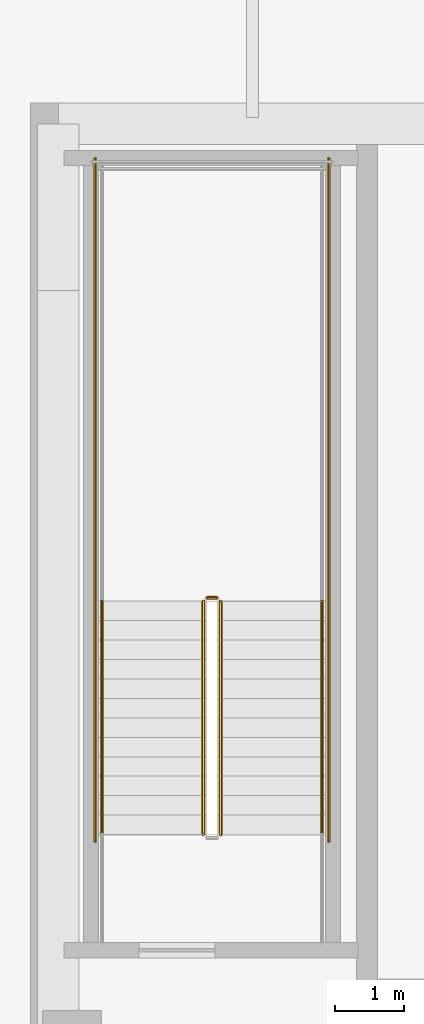
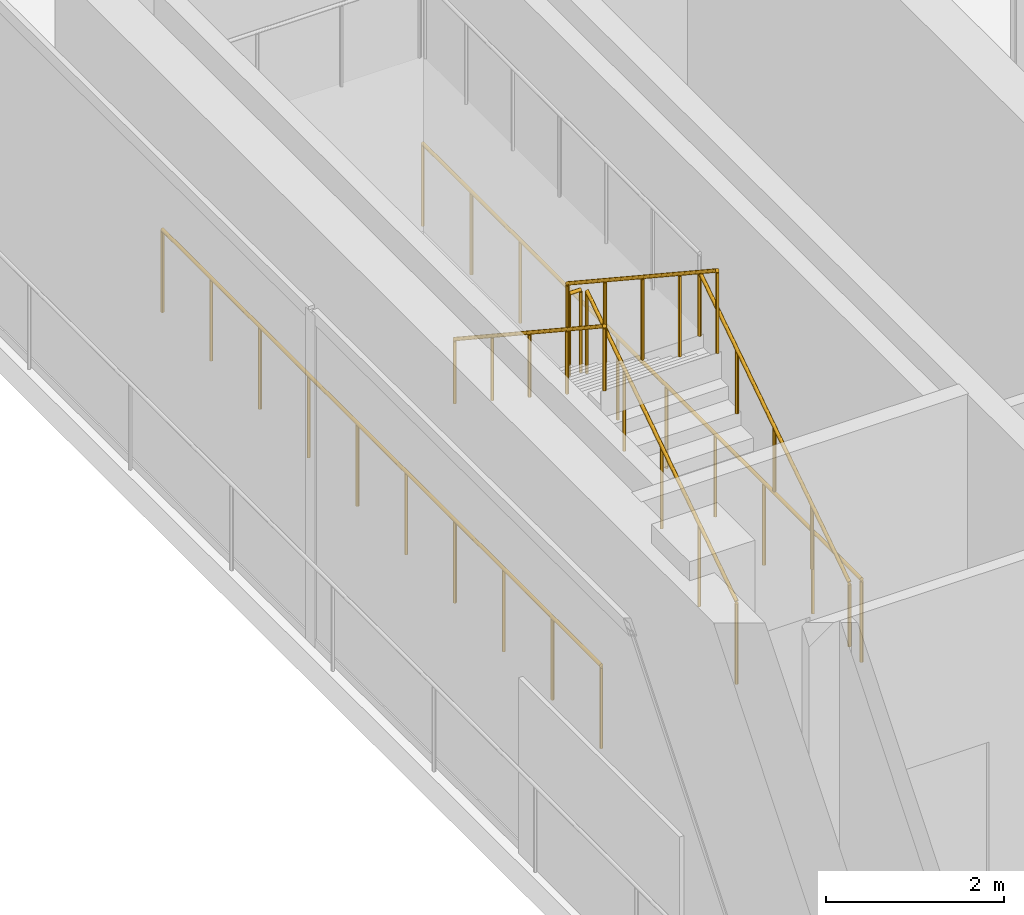
# One storey, part 10 of 13: 7 railings.
"""IFC4 building model written with IfcOpenShell, lengths in metres."""

import ifcopenshell
import ifcopenshell.guid

model = None  # the IFC model being written
_history = None  # IfcOwnerHistory: only IFC2X3 demands one
_inside = {}  # id of a spatial element -> (the spatial element, [elements in it])
_under = {}  # id of a project, library or spatial element -> (it, [spatial elements below it])
_declared = {}  # id of a project -> (the project, [libraries it declares])
_typed = {}  # id of a type object -> (the type object, [elements of that type])
_made_of = {}  # id of a material, layer set ... -> (it, [elements and type objects made of it])


def new_model(schema):
    """Start an empty IFC model of exactly this schema.

    Asked for "IFC4X3", IfcOpenShell would pick the latest addendum, in which some entities
    have other attributes; the version numbers below select the first issue.
    IFC2X3 requires an IfcOwnerHistory on every rooted entity: one is made here for all.
    """
    global model, _history
    if schema == "IFC4X3":
        model = ifcopenshell.file(schema_version=(4, 3, 0, 0))
    else:
        model = ifcopenshell.file(schema=schema)
    _inside.clear()
    _under.clear()
    _declared.clear()
    _typed.clear()
    _made_of.clear()
    _history = None
    if model.schema == "IFC2X3":
        org = make("IfcOrganization", Name="unknown")
        user = make(
            "IfcPersonAndOrganization",
            ThePerson=make("IfcPerson", FamilyName="unknown"),
            TheOrganization=org,
        )
        app = make(
            "IfcApplication",
            ApplicationDeveloper=org,
            Version="unknown",
            ApplicationFullName="unknown",
            ApplicationIdentifier="unknown",
        )
        _history = make(
            "IfcOwnerHistory",
            OwningUser=user,
            OwningApplication=app,
            ChangeAction="ADDED",
            CreationDate=0,
        )
    return model


def make(cls, **values):
    """One entity of the class cls with the attributes given. An attribute that is None is left unset."""
    return model.create_entity(
        cls, **{name: value for name, value in values.items() if value is not None}
    )


def rooted(cls, **values):
    """An entity with a GlobalId (a new one), such as an element, a storey or a relation."""
    return make(cls, GlobalId=ifcopenshell.guid.new(), OwnerHistory=_history, **values)


def si_unit(unit_type, name, prefix=None):
    """IfcSIUnit, for example si_unit("LENGTHUNIT", "METRE", prefix="MILLI")."""
    return make("IfcSIUnit", UnitType=unit_type, Prefix=prefix, Name=name)


def assignment(units):
    """IfcUnitAssignment: the units of a project."""
    return None if units is None else make("IfcUnitAssignment", Units=units)


def point(xyz):
    """IfcCartesianPoint."""
    return None if xyz is None else make("IfcCartesianPoint", Coordinates=xyz)


def direction(xyz):
    """IfcDirection."""
    return None if xyz is None else make("IfcDirection", DirectionRatios=xyz)


def frame(location, z_axis=None, x_axis=None):
    """IfcAxis2Placement3D, a coordinate frame: its origin and axes. An axis left out is left unset."""
    return make(
        "IfcAxis2Placement3D",
        Location=point(location),
        Axis=direction(z_axis),
        RefDirection=direction(x_axis),
    )


def frame_2d(location, x_axis=None):
    """IfcAxis2Placement2D, a coordinate frame in the plane: its origin and x axis."""
    return make(
        "IfcAxis2Placement2D", Location=point(location), RefDirection=direction(x_axis)
    )


def origin():
    """The frame at (0, 0, 0) with its axes left unset."""
    return frame((0.0, 0.0, 0.0))


def origin_2d():
    """The frame at (0, 0) in the plane with its x axis left unset."""
    return frame_2d((0.0, 0.0))


def place(relative_to, where):
    """IfcLocalPlacement: puts the frame where relative to a parent placement (None: the world)."""
    return make(
        "IfcLocalPlacement", PlacementRelTo=relative_to, RelativePlacement=where
    )


def context(
    kind, dimensions, precision=None, world=None, true_north=None, identifier=None
):
    """IfcGeometricRepresentationContext, for example the 3D "Model" context."""
    return make(
        "IfcGeometricRepresentationContext",
        ContextIdentifier=identifier,
        ContextType=kind,
        CoordinateSpaceDimension=dimensions,
        Precision=precision,
        WorldCoordinateSystem=world,
        TrueNorth=true_north,
    )


def subcontext(parent, identifier, kind, view, scale=None):
    """IfcGeometricRepresentationSubContext, for example "Body" below "Model"."""
    return make(
        "IfcGeometricRepresentationSubContext",
        ContextIdentifier=identifier,
        ContextType=kind,
        ParentContext=parent,
        TargetScale=scale,
        TargetView=view,
    )


def project(units=None, contexts=None):
    """IfcProject with its units and contexts."""
    return rooted(
        "IfcProject",
        Name="project",
        RepresentationContexts=contexts,
        UnitsInContext=assignment(units),
    )


def spatial(cls, under=None, at=None, **own):
    """A site, building, storey or space (cls), placed at a placement, below another one or the project."""
    s = rooted(cls, ObjectPlacement=at, **own)
    if under is not None:
        _under.setdefault(under.id(), (under, []))[1].append(s)
    return s


def profile(cls, at=None, kind="AREA", **sizes):
    """A parametric profile (cls). Its sizes go by their IFC names, for example OverallWidth=200.0."""
    return make(cls, ProfileType=kind, Position=at, **sizes)


def circle(**sizes):
    """IfcCircleProfileDef."""
    return profile("IfcCircleProfileDef", **sizes)


def extrude(swept, where, along, depth):
    """IfcExtrudedAreaSolid: the profile swept, set in the frame where, extruded along a direction by depth."""
    return make(
        "IfcExtrudedAreaSolid",
        SweptArea=swept,
        Position=where,
        ExtrudedDirection=direction(along),
        Depth=depth,
    )


def shape(context_of_items, identifier, shape_type, items):
    """IfcShapeRepresentation: the items that make up one representation, for example the "Body"."""
    return make(
        "IfcShapeRepresentation",
        ContextOfItems=context_of_items,
        RepresentationIdentifier=identifier,
        RepresentationType=shape_type,
        Items=items,
    )


def material(Name=None, Category=None):
    """IfcMaterial."""
    return make("IfcMaterial", Name=Name, Category=Category)


def made_of(thing, what):
    """Note that an element or type object is made of a material, layer set ...; save() writes the relation."""
    if what is not None:
        _made_of.setdefault(what.id(), (what, []))[1].append(thing)
    return thing


def type_object(cls, material=None, **own):
    """A type object (cls), such as IfcWallType, which elements share."""
    return made_of(rooted(cls, **own), material)


def element(
    cls,
    number,
    at=None,
    inside=None,
    cuts=None,
    type_object=None,
    material=None,
    context=None,
    identifier="Body",
    shape_type=None,
    held_by="IfcProductDefinitionShape",
    body=None,
    shapes=None,
    **own,
):
    """One element of the class cls, such as IfcWall. Its Tag is "e" and its number.

    at: its placement. inside: the storey or other place that contains it. cuts: it is an
    opening in that element (IfcRelVoidsElement). A single representation is given by context,
    identifier, shape_type and body (its items); several are given by shapes. held_by: the class
    of the entity that holds the representations. save() writes the other relations.
    """
    e = rooted(cls, Tag="e%d" % number, ObjectPlacement=at, **own)
    if body is not None:
        shapes = [shape(context, identifier, shape_type, body)]
    if shapes is not None:
        e.Representation = make(held_by, Representations=shapes)
    if inside is not None:
        _inside.setdefault(inside.id(), (inside, []))[1].append(e)
    if cuts is not None:
        rooted(
            "IfcRelVoidsElement", RelatingBuildingElement=cuts, RelatedOpeningElement=e
        )
    if type_object is not None:
        _typed.setdefault(type_object.id(), (type_object, []))[1].append(e)
    return made_of(e, material)


def aggregate(whole, parts):
    """IfcRelAggregates: a whole, such as a stair, and the parts it consists of."""
    return rooted("IfcRelAggregates", RelatingObject=whole, RelatedObjects=parts)


def save(model, path):
    """Write the relations noted so far, then the file.

    IfcRelAggregates (storeys below a building ...), IfcRelContainedInSpatialStructure (elements
    in a storey), IfcRelDefinesByType, IfcRelAssociatesMaterial and IfcRelDeclares: one each for
    every whole, place, type object, material and project.
    """
    for whole, parts in _under.values():
        aggregate(whole, parts)
    for where, things in _inside.values():
        rooted(
            "IfcRelContainedInSpatialStructure",
            RelatedElements=things,
            RelatingStructure=where,
        )
    for kind, things in _typed.values():
        rooted("IfcRelDefinesByType", RelatedObjects=things, RelatingType=kind)
    for what, things in _made_of.values():
        rooted("IfcRelAssociatesMaterial", RelatedObjects=things, RelatingMaterial=what)
    for by, libraries in _declared.values():
        rooted("IfcRelDeclares", RelatingContext=by, RelatedDefinitions=libraries)
    model.write(path)


model = new_model("IFC4")

# Units and contexts
model_context = context("Model", 3, precision=1e-05, world=origin(), true_north=direction((0.0, 1.0)))
body_context = subcontext(model_context, "Body", "Model", "MODEL_VIEW")
ifc_project = project(units=[si_unit("LENGTHUNIT", "METRE"), si_unit("AREAUNIT", "SQUARE_METRE"), si_unit("VOLUMEUNIT", "CUBIC_METRE"), si_unit("PLANEANGLEUNIT", "RADIAN"), si_unit("MASSUNIT", "GRAM", prefix="KILO")], contexts=[model_context])

# Site, building, storey
site_placement = place(None, origin())
site = spatial("IfcSite", under=ifc_project, at=site_placement, CompositionType="ELEMENT")
building_placement = place(site_placement, origin())
building = spatial("IfcBuilding", under=site, at=building_placement, Name="Khairoan Windgate Tower", CompositionType="ELEMENT")
storey_placement = place(building_placement, frame((0.0, 0.0, 272.800048828125)))
storey = spatial("IfcBuildingStorey", under=building, at=storey_placement, Name="L65", CompositionType="ELEMENT", Elevation=272.800048828125)

# Railings
ifc_material_1 = material(Name="Anodised Bronze Aluminium 6063-T6", Category="aluminium")
railing_type_1 = type_object("IfcRailingType", Name="Stair Wall Handrail SHR-900", PredefinedType="HANDRAIL", material=ifc_material_1)
railing_1_placement = place(storey_placement, frame((-16.199951171875, 2.9599609375, 0.1845703125)))
element("IfcRailing", 1, at=railing_1_placement, inside=storey, type_object=railing_type_1, Name="L65 ST2 stair handrail 1", PredefinedType="HANDRAIL", context=body_context, shape_type="SweptSolid", body=[
    extrude(circle(Radius=0.02392578125, at=origin_2d()), frame((0.0, 0.0, 0.8759765625), z_axis=(0.0, 0.834876476806, 0.550437342915), x_axis=(-1.0, 0.0, 0.0)), (0.0, 0.0, 1.0), 4.024658203125),
    extrude(circle(Radius=0.02099609375, at=origin_2d()), origin(), (0.0, 0.0, 1.0), 0.851806640625),
    extrude(circle(Radius=0.02099609375, at=origin_2d()), frame((0.0, 0.840087890625, 0.5537109375)), (0.0, 0.0, 1.0), 0.851806640625),
    extrude(circle(Radius=0.02099609375, at=origin_2d()), frame((0.0, 1.68017578125, 1.107666015625)), (0.0, 0.0, 1.0), 0.851806640625),
    extrude(circle(Radius=0.02099609375, at=origin_2d()), frame((0.0, 2.52001953125, 1.66162109375)), (0.0, 0.0, 1.0), 0.851806640625),
    extrude(circle(Radius=0.02099609375, at=origin_2d()), frame((0.0, 3.360107421875, 2.21533203125)), (0.0, 0.0, 1.0), 0.851806640625),
])
railing_2_placement = place(storey_placement, frame((-19.3701171875, 6.320068359375, 2.58447265625)))
element("IfcRailing", 2, at=railing_2_placement, inside=storey, type_object=railing_type_1, Name="L65 ST2 stair handrail 2", PredefinedType="HANDRAIL", context=body_context, shape_type="SweptSolid", body=[
    extrude(circle(Radius=0.02392578125, at=origin_2d()), frame((0.0, 0.0, 0.8759765625), z_axis=(0.0, -0.834848600103, 0.550479622607), x_axis=(1.0, 0.0, 0.0)), (0.0, 0.0, 1.0), 4.02490234375),
    extrude(circle(Radius=0.02099609375, at=origin_2d()), origin(), (0.0, 0.0, 1.0), 0.851806640625),
    extrude(circle(Radius=0.02099609375, at=origin_2d()), frame((0.0, -0.840087890625, 0.553955078125)), (0.0, 0.0, 1.0), 0.851806640625),
    extrude(circle(Radius=0.02099609375, at=origin_2d()), frame((0.0, -1.68017578125, 1.10791015625)), (0.0, 0.0, 1.0), 0.851806640625),
    extrude(circle(Radius=0.02099609375, at=origin_2d()), frame((0.0, -2.52001953125, 1.66162109375)), (0.0, 0.0, 1.0), 0.851806640625),
    extrude(circle(Radius=0.02099609375, at=origin_2d()), frame((0.0, -3.360107421875, 2.215576171875)), (0.0, 0.0, 1.0), 0.851806640625),
])
ifc_material_2 = material(Name="Steel S355", Category="steel")
railing_type_2 = type_object("IfcRailingType", Name="Stairwell Safety Guardrail SGR-1150", PredefinedType="GUARDRAIL", material=ifc_material_2)
railing_3_placement = place(storey_placement, frame((-17.659912109375, 2.9599609375, 0.1845703125)))
element("IfcRailing", 3, at=railing_3_placement, inside=storey, type_object=railing_type_2, Name="L65 ST2 stair guard 1", PredefinedType="GUARDRAIL", context=body_context, shape_type="SweptSolid", body=[
    extrude(circle(Radius=0.02392578125, at=origin_2d()), frame((0.0, 0.0, 1.1259765625), z_axis=(0.0, 0.834876476806, 0.550437342915), x_axis=(-1.0, 0.0, 0.0)), (0.0, 0.0, 1.0), 4.024658203125),
    extrude(circle(Radius=0.02099609375, at=origin_2d()), origin(), (0.0, 0.0, 1.0), 1.101806640625),
    extrude(circle(Radius=0.02099609375, at=origin_2d()), frame((0.0, 0.840087890625, 0.5537109375)), (0.0, 0.0, 1.0), 1.101806640625),
    extrude(circle(Radius=0.02099609375, at=origin_2d()), frame((0.0, 1.68017578125, 1.107666015625)), (0.0, 0.0, 1.0), 1.101806640625),
    extrude(circle(Radius=0.02099609375, at=origin_2d()), frame((0.0, 2.52001953125, 1.66162109375)), (0.0, 0.0, 1.0), 1.101806640625),
    extrude(circle(Radius=0.02099609375, at=origin_2d()), frame((0.0, 3.360107421875, 2.21533203125)), (0.0, 0.0, 1.0), 1.101806640625),
])
railing_4_placement = place(storey_placement, frame((-17.7099609375, 6.3701171875, 2.39990234375)))
element("IfcRailing", 4, at=railing_4_placement, inside=storey, type_object=railing_type_2, Name="L65 ST2 stair guard 2", PredefinedType="GUARDRAIL", context=body_context, shape_type="SweptSolid", body=[
    extrude(circle(Radius=0.02392578125, at=origin_2d()), frame((0.0, 0.0, 1.1259765625), z_axis=(-1.0, 0.0, 0.0), x_axis=(0.0, -1.0, 0.0)), (0.0, 0.0, 1.0), 0.150146484375),
    extrude(circle(Radius=0.02099609375, at=origin_2d()), origin(), (0.0, 0.0, 1.0), 1.101806640625),
    extrude(circle(Radius=0.02099609375, at=origin_2d()), frame((-0.150146484375, 0.0, 0.0)), (0.0, 0.0, 1.0), 1.101806640625),
])
railing_5_placement = place(storey_placement, frame((-17.909912109375, 6.320068359375, 2.58447265625)))
element("IfcRailing", 5, at=railing_5_placement, inside=storey, type_object=railing_type_2, Name="L65 ST2 stair guard 6", PredefinedType="GUARDRAIL", context=body_context, shape_type="SweptSolid", body=[
    extrude(circle(Radius=0.02392578125, at=origin_2d()), frame((0.0, 0.0, 1.1259765625), z_axis=(0.0, -0.834848600103, 0.550479622607), x_axis=(1.0, 0.0, 0.0)), (0.0, 0.0, 1.0), 4.02490234375),
    extrude(circle(Radius=0.02099609375, at=origin_2d()), origin(), (0.0, 0.0, 1.0), 1.101806640625),
    extrude(circle(Radius=0.02099609375, at=origin_2d()), frame((0.0, -0.840087890625, 0.553955078125)), (0.0, 0.0, 1.0), 1.101806640625),
    extrude(circle(Radius=0.02099609375, at=origin_2d()), frame((0.0, -1.68017578125, 1.10791015625)), (0.0, 0.0, 1.0), 1.101806640625),
    extrude(circle(Radius=0.02099609375, at=origin_2d()), frame((0.0, -2.52001953125, 1.66162109375)), (0.0, 0.0, 1.0), 1.101806640625),
    extrude(circle(Radius=0.02099609375, at=origin_2d()), frame((0.0, -3.360107421875, 2.215576171875)), (0.0, 0.0, 1.0), 1.101806640625),
])
for number, where, name in (
    (6, (-16.10009765625, 2.860107421875, 0.0), "L65 ST2 stair guard 10"),
    (7, (-19.469970703125, 2.860107421875, 0.0), "L65 ST2 stair guard 11"),
):
    element("IfcRailing", number, at=place(storey_placement, frame(where)), inside=storey, type_object=railing_type_2, Name=name, PredefinedType="GUARDRAIL", context=body_context, shape_type="SweptSolid", body=[
        extrude(circle(Radius=0.02392578125, at=origin_2d()), frame((0.0, 0.0, 1.1259765625), z_axis=(0.0, 1.0, 0.0), x_axis=(-1.0, 0.0, 0.0)), (0.0, 0.0, 1.0), 9.83984375),
        extrude(circle(Radius=0.02099609375, at=origin_2d()), origin(), (0.0, 0.0, 1.0), 1.101806640625),
        extrude(circle(Radius=0.02099609375, at=origin_2d()), frame((0.0, 1.09326171875, 0.0)), (0.0, 0.0, 1.0), 1.101806640625),
        extrude(circle(Radius=0.02099609375, at=origin_2d()), frame((0.0, 2.1865234375, 0.0)), (0.0, 0.0, 1.0), 1.101806640625),
        extrude(circle(Radius=0.02099609375, at=origin_2d()), frame((0.0, 3.280029296875, 0.0)), (0.0, 0.0, 1.0), 1.101806640625),
        extrude(circle(Radius=0.02099609375, at=origin_2d()), frame((0.0, 4.373291015625, 0.0)), (0.0, 0.0, 1.0), 1.101806640625),
        extrude(circle(Radius=0.02099609375, at=origin_2d()), frame((0.0, 5.466552734375, 0.0)), (0.0, 0.0, 1.0), 1.101806640625),
        extrude(circle(Radius=0.02099609375, at=origin_2d()), frame((0.0, 6.559814453125, 0.0)), (0.0, 0.0, 1.0), 1.101806640625),
        extrude(circle(Radius=0.02099609375, at=origin_2d()), frame((0.0, 7.6533203125, 0.0)), (0.0, 0.0, 1.0), 1.101806640625),
        extrude(circle(Radius=0.02099609375, at=origin_2d()), frame((0.0, 8.74658203125, 0.0)), (0.0, 0.0, 1.0), 1.101806640625),
        extrude(circle(Radius=0.02099609375, at=origin_2d()), frame((0.0, 9.83984375, 0.0)), (0.0, 0.0, 1.0), 1.101806640625),
    ])

save(model, "model.ifc")
